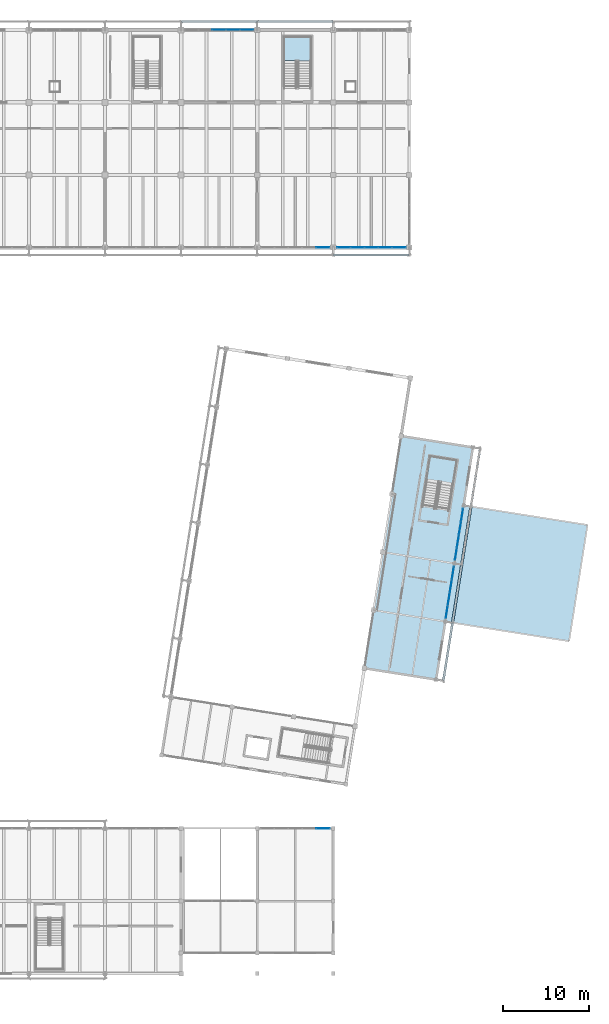
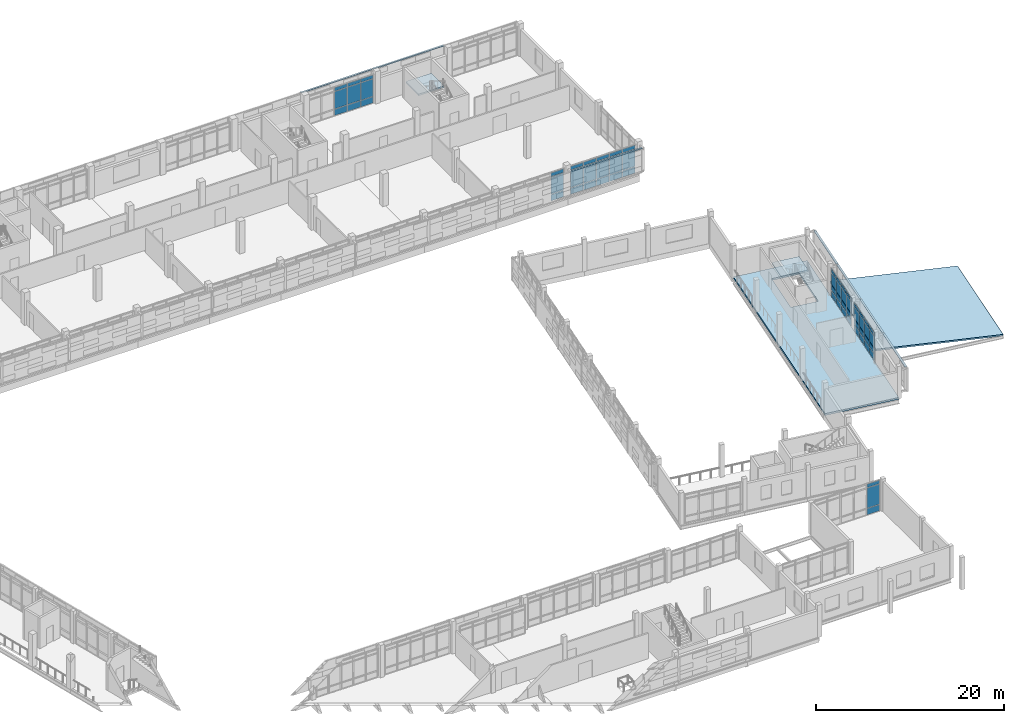
# One storey, part 103 of 137: 61 plates, 4 slabs, 8 elements without a shape of their own.
"""IFC4 building model written with IfcOpenShell, lengths in metres."""

import ifcopenshell
import ifcopenshell.guid

model = None  # the IFC model being written
_history = None  # IfcOwnerHistory: only IFC2X3 demands one
_inside = {}  # id of a spatial element -> (the spatial element, [elements in it])
_under = {}  # id of a project, library or spatial element -> (it, [spatial elements below it])
_declared = {}  # id of a project -> (the project, [libraries it declares])
_typed = {}  # id of a type object -> (the type object, [elements of that type])
_made_of = {}  # id of a material, layer set ... -> (it, [elements and type objects made of it])


def new_model(schema):
    """Start an empty IFC model of exactly this schema.

    Asked for "IFC4X3", IfcOpenShell would pick the latest addendum, in which some entities
    have other attributes; the version numbers below select the first issue.
    IFC2X3 requires an IfcOwnerHistory on every rooted entity: one is made here for all.
    """
    global model, _history
    if schema == "IFC4X3":
        model = ifcopenshell.file(schema_version=(4, 3, 0, 0))
    else:
        model = ifcopenshell.file(schema=schema)
    _inside.clear()
    _under.clear()
    _declared.clear()
    _typed.clear()
    _made_of.clear()
    _history = None
    if model.schema == "IFC2X3":
        org = make("IfcOrganization", Name="unknown")
        user = make(
            "IfcPersonAndOrganization",
            ThePerson=make("IfcPerson", FamilyName="unknown"),
            TheOrganization=org,
        )
        app = make(
            "IfcApplication",
            ApplicationDeveloper=org,
            Version="unknown",
            ApplicationFullName="unknown",
            ApplicationIdentifier="unknown",
        )
        _history = make(
            "IfcOwnerHistory",
            OwningUser=user,
            OwningApplication=app,
            ChangeAction="ADDED",
            CreationDate=0,
        )
    return model


def make(cls, **values):
    """One entity of the class cls with the attributes given. An attribute that is None is left unset."""
    return model.create_entity(
        cls, **{name: value for name, value in values.items() if value is not None}
    )


def rooted(cls, **values):
    """An entity with a GlobalId (a new one), such as an element, a storey or a relation."""
    return make(cls, GlobalId=ifcopenshell.guid.new(), OwnerHistory=_history, **values)


def si_unit(unit_type, name, prefix=None):
    """IfcSIUnit, for example si_unit("LENGTHUNIT", "METRE", prefix="MILLI")."""
    return make("IfcSIUnit", UnitType=unit_type, Prefix=prefix, Name=name)


def assignment(units):
    """IfcUnitAssignment: the units of a project."""
    return None if units is None else make("IfcUnitAssignment", Units=units)


def point(xyz):
    """IfcCartesianPoint."""
    return None if xyz is None else make("IfcCartesianPoint", Coordinates=xyz)


def direction(xyz):
    """IfcDirection."""
    return None if xyz is None else make("IfcDirection", DirectionRatios=xyz)


def frame(location, z_axis=None, x_axis=None):
    """IfcAxis2Placement3D, a coordinate frame: its origin and axes. An axis left out is left unset."""
    return make(
        "IfcAxis2Placement3D",
        Location=point(location),
        Axis=direction(z_axis),
        RefDirection=direction(x_axis),
    )


def frame_2d(location, x_axis=None):
    """IfcAxis2Placement2D, a coordinate frame in the plane: its origin and x axis."""
    return make(
        "IfcAxis2Placement2D", Location=point(location), RefDirection=direction(x_axis)
    )


def origin():
    """The frame at (0, 0, 0) with its axes left unset."""
    return frame((0.0, 0.0, 0.0))


def origin_2d():
    """The frame at (0, 0) in the plane with its x axis left unset."""
    return frame_2d((0.0, 0.0))


def place(relative_to, where):
    """IfcLocalPlacement: puts the frame where relative to a parent placement (None: the world)."""
    return make(
        "IfcLocalPlacement", PlacementRelTo=relative_to, RelativePlacement=where
    )


def context(
    kind, dimensions, precision=None, world=None, true_north=None, identifier=None
):
    """IfcGeometricRepresentationContext, for example the 3D "Model" context."""
    return make(
        "IfcGeometricRepresentationContext",
        ContextIdentifier=identifier,
        ContextType=kind,
        CoordinateSpaceDimension=dimensions,
        Precision=precision,
        WorldCoordinateSystem=world,
        TrueNorth=true_north,
    )


def subcontext(parent, identifier, kind, view, scale=None):
    """IfcGeometricRepresentationSubContext, for example "Body" below "Model"."""
    return make(
        "IfcGeometricRepresentationSubContext",
        ContextIdentifier=identifier,
        ContextType=kind,
        ParentContext=parent,
        TargetScale=scale,
        TargetView=view,
    )


def project(units=None, contexts=None):
    """IfcProject with its units and contexts."""
    return rooted(
        "IfcProject",
        Name="project",
        RepresentationContexts=contexts,
        UnitsInContext=assignment(units),
    )


def spatial(cls, under=None, at=None, **own):
    """A site, building, storey or space (cls), placed at a placement, below another one or the project."""
    s = rooted(cls, ObjectPlacement=at, **own)
    if under is not None:
        _under.setdefault(under.id(), (under, []))[1].append(s)
    return s


def polyline(points):
    """IfcPolyline through the points."""
    return make("IfcPolyline", Points=[point(p) for p in points])


def profile(cls, at=None, kind="AREA", **sizes):
    """A parametric profile (cls). Its sizes go by their IFC names, for example OverallWidth=200.0."""
    return make(cls, ProfileType=kind, Position=at, **sizes)


def rectangle(**sizes):
    """IfcRectangleProfileDef."""
    return profile("IfcRectangleProfileDef", **sizes)


def outline(outer, holes=None, kind="AREA"):
    """IfcArbitraryClosedProfileDef: a profile drawn as a closed curve; with holes, ...WithVoids."""
    if holes is None:
        return make("IfcArbitraryClosedProfileDef", ProfileType=kind, OuterCurve=outer)
    return make(
        "IfcArbitraryProfileDefWithVoids",
        ProfileType=kind,
        OuterCurve=outer,
        InnerCurves=holes,
    )


def extrude(swept, where, along, depth):
    """IfcExtrudedAreaSolid: the profile swept, set in the frame where, extruded along a direction by depth."""
    return make(
        "IfcExtrudedAreaSolid",
        SweptArea=swept,
        Position=where,
        ExtrudedDirection=direction(along),
        Depth=depth,
    )


def shape(context_of_items, identifier, shape_type, items):
    """IfcShapeRepresentation: the items that make up one representation, for example the "Body"."""
    return make(
        "IfcShapeRepresentation",
        ContextOfItems=context_of_items,
        RepresentationIdentifier=identifier,
        RepresentationType=shape_type,
        Items=items,
    )


def material(Name=None, Category=None):
    """IfcMaterial."""
    return make("IfcMaterial", Name=Name, Category=Category)


def layer(
    of_material, thickness, ventilated=None, Name=None, Category=None, Priority=None
):
    """IfcMaterialLayer: one layer of a wall or slab, of a material (None: an air gap)."""
    return make(
        "IfcMaterialLayer",
        Material=of_material,
        LayerThickness=thickness,
        IsVentilated=ventilated,
        Name=Name,
        Category=Category,
        Priority=Priority,
    )


def layer_set(layers, Name=None):
    """IfcMaterialLayerSet."""
    return make("IfcMaterialLayerSet", MaterialLayers=layers, LayerSetName=Name)


def made_of(thing, what):
    """Note that an element or type object is made of a material, layer set ...; save() writes the relation."""
    if what is not None:
        _made_of.setdefault(what.id(), (what, []))[1].append(thing)
    return thing


def type_object(cls, material=None, **own):
    """A type object (cls), such as IfcWallType, which elements share."""
    return made_of(rooted(cls, **own), material)


def element(
    cls,
    number,
    at=None,
    inside=None,
    cuts=None,
    type_object=None,
    material=None,
    context=None,
    identifier="Body",
    shape_type=None,
    held_by="IfcProductDefinitionShape",
    body=None,
    shapes=None,
    **own,
):
    """One element of the class cls, such as IfcWall. Its Tag is "e" and its number.

    at: its placement. inside: the storey or other place that contains it. cuts: it is an
    opening in that element (IfcRelVoidsElement). A single representation is given by context,
    identifier, shape_type and body (its items); several are given by shapes. held_by: the class
    of the entity that holds the representations. save() writes the other relations.
    """
    e = rooted(cls, Tag="e%d" % number, ObjectPlacement=at, **own)
    if body is not None:
        shapes = [shape(context, identifier, shape_type, body)]
    if shapes is not None:
        e.Representation = make(held_by, Representations=shapes)
    if inside is not None:
        _inside.setdefault(inside.id(), (inside, []))[1].append(e)
    if cuts is not None:
        rooted(
            "IfcRelVoidsElement", RelatingBuildingElement=cuts, RelatedOpeningElement=e
        )
    if type_object is not None:
        _typed.setdefault(type_object.id(), (type_object, []))[1].append(e)
    return made_of(e, material)


def aggregate(whole, parts):
    """IfcRelAggregates: a whole, such as a stair, and the parts it consists of."""
    return rooted("IfcRelAggregates", RelatingObject=whole, RelatedObjects=parts)


def save(model, path):
    """Write the relations noted so far, then the file.

    IfcRelAggregates (storeys below a building ...), IfcRelContainedInSpatialStructure (elements
    in a storey), IfcRelDefinesByType, IfcRelAssociatesMaterial and IfcRelDeclares: one each for
    every whole, place, type object, material and project.
    """
    for whole, parts in _under.values():
        aggregate(whole, parts)
    for where, things in _inside.values():
        rooted(
            "IfcRelContainedInSpatialStructure",
            RelatedElements=things,
            RelatingStructure=where,
        )
    for kind, things in _typed.values():
        rooted("IfcRelDefinesByType", RelatedObjects=things, RelatingType=kind)
    for what, things in _made_of.values():
        rooted("IfcRelAssociatesMaterial", RelatedObjects=things, RelatingMaterial=what)
    for by, libraries in _declared.values():
        rooted("IfcRelDeclares", RelatingContext=by, RelatedDefinitions=libraries)
    model.write(path)


model = new_model("IFC4")

# Units and contexts
model_context = context("Model", 3, precision=1e-05, world=origin(), true_north=direction((0.0, 1.0)))
body_context = subcontext(model_context, "Body", "Model", "MODEL_VIEW")
ifc_project = project(units=[si_unit("LENGTHUNIT", "METRE"), si_unit("AREAUNIT", "SQUARE_METRE"), si_unit("VOLUMEUNIT", "CUBIC_METRE"), si_unit("PLANEANGLEUNIT", "RADIAN"), si_unit("MASSUNIT", "GRAM", prefix="KILO")], contexts=[model_context])

# Site, building, storey
site_placement = place(None, origin())
site = spatial("IfcSite", under=ifc_project, at=site_placement, CompositionType="ELEMENT")
building_placement = place(site_placement, origin())
building = spatial("IfcBuilding", under=site, at=building_placement, Name="Cinderway Yard Community Centre", CompositionType="ELEMENT")
storey_placement = place(building_placement, frame((0.0, 0.0, 4.800048828125)))
storey = spatial("IfcBuildingStorey", under=building, at=storey_placement, Name="L01", CompositionType="ELEMENT", Elevation=4.800048828125)

# Curtain wall, plates
ifc_material_1 = material(Name="Aluminium 6063-T6", Category="aluminium")
curtain_wall_type_1 = type_object("IfcCurtainWallType", Name="ENV-CW-TYPE-16", PredefinedType="USERDEFINED", material=ifc_material_1)
curtain_wall_1_placement = place(storey_placement, origin())
curtain_wall_1 = element("IfcCurtainWall", 1, at=curtain_wall_1_placement, inside=storey, type_object=curtain_wall_type_1, Name="Fitness East Curtain Wall ENV-CW-L01-ST-0058", ObjectType="GLAZED CURTAIN WALL", PredefinedType="USERDEFINED")
ifc_material_2 = material(Name="Laminated Low-E Glass", Category="glass")
ifc_layer_1 = layer(ifc_material_2, 0.028076171875, Name="Laminated Low-E Glass")
ifc_layer_set_1 = layer_set([ifc_layer_1], Name="Laminated Low-E Glass")
plate_type_1 = type_object("IfcPlateType", Name="ENV-CW-PAN-IGU28", PredefinedType="CURTAIN_PANEL", material=ifc_layer_set_1)
plate_1_placement = place(storey_placement, frame((149.9345703125, 47.853759765625, 0.059814453125), z_axis=(0.0, 0.0, 1.0), x_axis=(0.156417211778, 0.987691073089, 0.0)))
plate_1 = element("IfcPlate", 2, at=plate_1_placement, type_object=plate_type_1, Name="CW-16 panel 1.1", PredefinedType="CURTAIN_PANEL", context=body_context, shape_type="SweptSolid", body=[
    extrude(rectangle(XDim=1.434814453125, YDim=0.028076171875, at=origin_2d()), origin(), (0.0, 0.0, 1.0), 0.81005859375),
])
plate_2_placement = place(storey_placement, frame((149.9345703125, 47.853759765625, 0.93017578125), z_axis=(0.0, 0.0, 1.0), x_axis=(0.156417211778, 0.987691073089, 0.0)))
plate_2 = element("IfcPlate", 3, at=plate_2_placement, type_object=plate_type_1, Name="CW-16 panel 1.2", PredefinedType="CURTAIN_PANEL", context=body_context, shape_type="SweptSolid", body=[
    extrude(rectangle(XDim=1.434814453125, YDim=0.028076171875, at=origin_2d()), origin(), (0.0, 0.0, 1.0), 2.239990234375),
])
plate_3_placement = place(storey_placement, frame((149.9345703125, 47.853759765625, 3.22998046875), z_axis=(0.0, 0.0, 1.0), x_axis=(0.156417211778, 0.987691073089, 0.0)))
plate_3 = element("IfcPlate", 4, at=plate_3_placement, type_object=plate_type_1, Name="CW-16 panel 1.3", PredefinedType="CURTAIN_PANEL", context=body_context, shape_type="SweptSolid", body=[
    extrude(rectangle(XDim=1.434814453125, YDim=0.028076171875, at=origin_2d()), origin(), (0.0, 0.0, 1.0), 0.4599609375),
])
plate_4_placement = place(storey_placement, frame((150.170654296875, 49.344970703125, 0.059814453125), z_axis=(0.0, 0.0, 1.0), x_axis=(0.156417211778, 0.987691073089, 0.0)))
plate_4 = element("IfcPlate", 5, at=plate_4_placement, type_object=plate_type_1, Name="CW-16 panel 2.1", PredefinedType="CURTAIN_PANEL", context=body_context, shape_type="SweptSolid", body=[
    extrude(rectangle(XDim=1.46484375, YDim=0.028076171875, at=origin_2d()), origin(), (0.0, 0.0, 1.0), 0.81005859375),
])
plate_5_placement = place(storey_placement, frame((150.170654296875, 49.344970703125, 0.93017578125), z_axis=(0.0, 0.0, 1.0), x_axis=(0.156417211778, 0.987691073089, 0.0)))
plate_5 = element("IfcPlate", 6, at=plate_5_placement, type_object=plate_type_1, Name="CW-16 panel 2.2", PredefinedType="CURTAIN_PANEL", context=body_context, shape_type="SweptSolid", body=[
    extrude(rectangle(XDim=1.46484375, YDim=0.028076171875, at=origin_2d()), origin(), (0.0, 0.0, 1.0), 2.239990234375),
])
plate_6_placement = place(storey_placement, frame((150.170654296875, 49.344970703125, 3.22998046875), z_axis=(0.0, 0.0, 1.0), x_axis=(0.156417211778, 0.987691073089, 0.0)))
plate_6 = element("IfcPlate", 7, at=plate_6_placement, type_object=plate_type_1, Name="CW-16 panel 2.3", PredefinedType="CURTAIN_PANEL", context=body_context, shape_type="SweptSolid", body=[
    extrude(rectangle(XDim=1.46484375, YDim=0.028076171875, at=origin_2d()), origin(), (0.0, 0.0, 1.0), 0.4599609375),
])
plate_7_placement = place(storey_placement, frame((150.4091796875, 50.85107421875, 0.059814453125), z_axis=(0.0, 0.0, 1.0), x_axis=(0.156417211778, 0.987691073089, 0.0)))
plate_7 = element("IfcPlate", 8, at=plate_7_placement, type_object=plate_type_1, Name="CW-16 panel 3.1", PredefinedType="CURTAIN_PANEL", context=body_context, shape_type="SweptSolid", body=[
    extrude(rectangle(XDim=1.46484375, YDim=0.028076171875, at=origin_2d()), origin(), (0.0, 0.0, 1.0), 0.81005859375),
])
plate_8_placement = place(storey_placement, frame((150.4091796875, 50.85107421875, 0.93017578125), z_axis=(0.0, 0.0, 1.0), x_axis=(0.156417211778, 0.987691073089, 0.0)))
plate_8 = element("IfcPlate", 9, at=plate_8_placement, type_object=plate_type_1, Name="CW-16 panel 3.2", PredefinedType="CURTAIN_PANEL", context=body_context, shape_type="SweptSolid", body=[
    extrude(rectangle(XDim=1.46484375, YDim=0.028076171875, at=origin_2d()), origin(), (0.0, 0.0, 1.0), 2.239990234375),
])
plate_9_placement = place(storey_placement, frame((150.4091796875, 50.85107421875, 3.22998046875), z_axis=(0.0, 0.0, 1.0), x_axis=(0.156417211778, 0.987691073089, 0.0)))
plate_9 = element("IfcPlate", 10, at=plate_9_placement, type_object=plate_type_1, Name="CW-16 panel 3.3", PredefinedType="CURTAIN_PANEL", context=body_context, shape_type="SweptSolid", body=[
    extrude(rectangle(XDim=1.46484375, YDim=0.028076171875, at=origin_2d()), origin(), (0.0, 0.0, 1.0), 0.4599609375),
])
plate_10_placement = place(storey_placement, frame((150.6455078125, 52.34228515625, 0.059814453125), z_axis=(0.0, 0.0, 1.0), x_axis=(0.156417211778, 0.987691073089, 0.0)))
plate_10 = element("IfcPlate", 11, at=plate_10_placement, type_object=plate_type_1, Name="CW-16 panel 4.1", PredefinedType="CURTAIN_PANEL", context=body_context, shape_type="SweptSolid", body=[
    extrude(rectangle(XDim=1.434814453125, YDim=0.028076171875, at=origin_2d()), origin(), (0.0, 0.0, 1.0), 0.81005859375),
])
plate_11_placement = place(storey_placement, frame((150.6455078125, 52.34228515625, 0.93017578125), z_axis=(0.0, 0.0, 1.0), x_axis=(0.156417211778, 0.987691073089, 0.0)))
plate_11 = element("IfcPlate", 12, at=plate_11_placement, type_object=plate_type_1, Name="CW-16 panel 4.2", PredefinedType="CURTAIN_PANEL", context=body_context, shape_type="SweptSolid", body=[
    extrude(rectangle(XDim=1.434814453125, YDim=0.028076171875, at=origin_2d()), origin(), (0.0, 0.0, 1.0), 2.239990234375),
])
plate_12_placement = place(storey_placement, frame((150.6455078125, 52.34228515625, 3.22998046875), z_axis=(0.0, 0.0, 1.0), x_axis=(0.156417211778, 0.987691073089, 0.0)))
plate_12 = element("IfcPlate", 13, at=plate_12_placement, type_object=plate_type_1, Name="CW-16 panel 4.3", PredefinedType="CURTAIN_PANEL", context=body_context, shape_type="SweptSolid", body=[
    extrude(rectangle(XDim=1.434814453125, YDim=0.028076171875, at=origin_2d()), origin(), (0.0, 0.0, 1.0), 0.4599609375),
])
aggregate(curtain_wall_1, [plate_1, plate_2, plate_3, plate_4, plate_5, plate_6, plate_7, plate_8, plate_9, plate_10, plate_11, plate_12])

curtain_wall_2_placement = place(storey_placement, origin())
curtain_wall_2 = element("IfcCurtainWall", 14, at=curtain_wall_2_placement, inside=storey, type_object=curtain_wall_type_1, Name="Fitness East Curtain Wall ENV-CW-L01-ST-0059", ObjectType="GLAZED CURTAIN WALL", PredefinedType="USERDEFINED")
plate_13_placement = place(storey_placement, frame((150.99853515625, 54.56982421875, 0.059814453125), z_axis=(0.0, 0.0, 1.0), x_axis=(0.156417211778, 0.987691073089, 0.0)))
plate_13 = element("IfcPlate", 15, at=plate_13_placement, type_object=plate_type_1, Name="CW-16 panel 1.1", PredefinedType="CURTAIN_PANEL", context=body_context, shape_type="SweptSolid", body=[
    extrude(rectangle(XDim=1.434814453125, YDim=0.028076171875, at=origin_2d()), origin(), (0.0, 0.0, 1.0), 0.81005859375),
])
plate_14_placement = place(storey_placement, frame((150.99853515625, 54.56982421875, 0.93017578125), z_axis=(0.0, 0.0, 1.0), x_axis=(0.156417211778, 0.987691073089, 0.0)))
plate_14 = element("IfcPlate", 16, at=plate_14_placement, type_object=plate_type_1, Name="CW-16 panel 1.2", PredefinedType="CURTAIN_PANEL", context=body_context, shape_type="SweptSolid", body=[
    extrude(rectangle(XDim=1.434814453125, YDim=0.028076171875, at=origin_2d()), origin(), (0.0, 0.0, 1.0), 2.239990234375),
])
plate_15_placement = place(storey_placement, frame((150.99853515625, 54.56982421875, 3.22998046875), z_axis=(0.0, 0.0, 1.0), x_axis=(0.156417211778, 0.987691073089, 0.0)))
plate_15 = element("IfcPlate", 17, at=plate_15_placement, type_object=plate_type_1, Name="CW-16 panel 1.3", PredefinedType="CURTAIN_PANEL", context=body_context, shape_type="SweptSolid", body=[
    extrude(rectangle(XDim=1.434814453125, YDim=0.028076171875, at=origin_2d()), origin(), (0.0, 0.0, 1.0), 0.4599609375),
])
plate_16_placement = place(storey_placement, frame((151.23486328125, 56.06103515625, 0.059814453125), z_axis=(0.0, 0.0, 1.0), x_axis=(0.156417211778, 0.987691073089, 0.0)))
plate_16 = element("IfcPlate", 18, at=plate_16_placement, type_object=plate_type_1, Name="CW-16 panel 2.1", PredefinedType="CURTAIN_PANEL", context=body_context, shape_type="SweptSolid", body=[
    extrude(rectangle(XDim=1.46484375, YDim=0.028076171875, at=origin_2d()), origin(), (0.0, 0.0, 1.0), 0.81005859375),
])
plate_17_placement = place(storey_placement, frame((151.23486328125, 56.06103515625, 0.93017578125), z_axis=(0.0, 0.0, 1.0), x_axis=(0.156417211778, 0.987691073089, 0.0)))
plate_17 = element("IfcPlate", 19, at=plate_17_placement, type_object=plate_type_1, Name="CW-16 panel 2.2", PredefinedType="CURTAIN_PANEL", context=body_context, shape_type="SweptSolid", body=[
    extrude(rectangle(XDim=1.46484375, YDim=0.028076171875, at=origin_2d()), origin(), (0.0, 0.0, 1.0), 2.239990234375),
])
plate_18_placement = place(storey_placement, frame((151.23486328125, 56.06103515625, 3.22998046875), z_axis=(0.0, 0.0, 1.0), x_axis=(0.156417211778, 0.987691073089, 0.0)))
plate_18 = element("IfcPlate", 20, at=plate_18_placement, type_object=plate_type_1, Name="CW-16 panel 2.3", PredefinedType="CURTAIN_PANEL", context=body_context, shape_type="SweptSolid", body=[
    extrude(rectangle(XDim=1.46484375, YDim=0.028076171875, at=origin_2d()), origin(), (0.0, 0.0, 1.0), 0.4599609375),
])
plate_19_placement = place(storey_placement, frame((151.47314453125, 57.56689453125, 0.059814453125), z_axis=(0.0, 0.0, 1.0), x_axis=(0.156417211778, 0.987691073089, 0.0)))
plate_19 = element("IfcPlate", 21, at=plate_19_placement, type_object=plate_type_1, Name="CW-16 panel 3.1", PredefinedType="CURTAIN_PANEL", context=body_context, shape_type="SweptSolid", body=[
    extrude(rectangle(XDim=1.46484375, YDim=0.028076171875, at=origin_2d()), origin(), (0.0, 0.0, 1.0), 0.81005859375),
])
plate_20_placement = place(storey_placement, frame((151.47314453125, 57.56689453125, 0.93017578125), z_axis=(0.0, 0.0, 1.0), x_axis=(0.156417211778, 0.987691073089, 0.0)))
plate_20 = element("IfcPlate", 22, at=plate_20_placement, type_object=plate_type_1, Name="CW-16 panel 3.2", PredefinedType="CURTAIN_PANEL", context=body_context, shape_type="SweptSolid", body=[
    extrude(rectangle(XDim=1.46484375, YDim=0.028076171875, at=origin_2d()), origin(), (0.0, 0.0, 1.0), 2.239990234375),
])
plate_21_placement = place(storey_placement, frame((151.47314453125, 57.56689453125, 3.22998046875), z_axis=(0.0, 0.0, 1.0), x_axis=(0.156417211778, 0.987691073089, 0.0)))
plate_21 = element("IfcPlate", 23, at=plate_21_placement, type_object=plate_type_1, Name="CW-16 panel 3.3", PredefinedType="CURTAIN_PANEL", context=body_context, shape_type="SweptSolid", body=[
    extrude(rectangle(XDim=1.46484375, YDim=0.028076171875, at=origin_2d()), origin(), (0.0, 0.0, 1.0), 0.4599609375),
])
plate_22_placement = place(storey_placement, frame((151.70947265625, 59.05810546875, 0.059814453125), z_axis=(0.0, 0.0, 1.0), x_axis=(0.156417211778, 0.987691073089, 0.0)))
plate_22 = element("IfcPlate", 24, at=plate_22_placement, type_object=plate_type_1, Name="CW-16 panel 4.1", PredefinedType="CURTAIN_PANEL", context=body_context, shape_type="SweptSolid", body=[
    extrude(rectangle(XDim=1.434814453125, YDim=0.028076171875, at=origin_2d()), origin(), (0.0, 0.0, 1.0), 0.81005859375),
])
plate_23_placement = place(storey_placement, frame((151.70947265625, 59.05810546875, 0.93017578125), z_axis=(0.0, 0.0, 1.0), x_axis=(0.156417211778, 0.987691073089, 0.0)))
plate_23 = element("IfcPlate", 25, at=plate_23_placement, type_object=plate_type_1, Name="CW-16 panel 4.2", PredefinedType="CURTAIN_PANEL", context=body_context, shape_type="SweptSolid", body=[
    extrude(rectangle(XDim=1.434814453125, YDim=0.028076171875, at=origin_2d()), origin(), (0.0, 0.0, 1.0), 2.239990234375),
])
plate_24_placement = place(storey_placement, frame((151.70947265625, 59.05810546875, 3.22998046875), z_axis=(0.0, 0.0, 1.0), x_axis=(0.156417211778, 0.987691073089, 0.0)))
plate_24 = element("IfcPlate", 26, at=plate_24_placement, type_object=plate_type_1, Name="CW-16 panel 4.3", PredefinedType="CURTAIN_PANEL", context=body_context, shape_type="SweptSolid", body=[
    extrude(rectangle(XDim=1.434814453125, YDim=0.028076171875, at=origin_2d()), origin(), (0.0, 0.0, 1.0), 0.4599609375),
])
aggregate(curtain_wall_2, [plate_13, plate_14, plate_15, plate_16, plate_17, plate_18, plate_19, plate_20, plate_21, plate_22, plate_23, plate_24])

curtain_wall_type_2 = type_object("IfcCurtainWallType", Name="ENV-CW-TYPE-27", PredefinedType="USERDEFINED", material=ifc_material_1)
curtain_wall_3_placement = place(storey_placement, origin())
curtain_wall_3 = element("IfcCurtainWall", 27, at=curtain_wall_3_placement, inside=storey, type_object=curtain_wall_type_2, Name="V4 Street Curtain Wall ENV-CW-L01-ST-0135", ObjectType="GLAZED CURTAIN WALL", PredefinedType="USERDEFINED")
plate_25_placement = place(storey_placement, frame((123.60009765625, 115.199951171875, 0.059814453125), z_axis=(0.0, 0.0, 1.0), x_axis=(1.0, 0.0, 0.0)))
plate_25 = element("IfcPlate", 28, at=plate_25_placement, type_object=plate_type_1, Name="CW-27 panel 3.1", PredefinedType="CURTAIN_PANEL", context=body_context, shape_type="SweptSolid", body=[
    extrude(rectangle(XDim=1.548095703125, YDim=0.028076171875, at=origin_2d()), origin(), (0.0, 0.0, 1.0), 0.81005859375),
])
plate_26_placement = place(storey_placement, frame((123.60009765625, 115.199951171875, 0.93017578125), z_axis=(0.0, 0.0, 1.0), x_axis=(1.0, 0.0, 0.0)))
plate_26 = element("IfcPlate", 29, at=plate_26_placement, type_object=plate_type_1, Name="CW-27 panel 3.2", PredefinedType="CURTAIN_PANEL", context=body_context, shape_type="SweptSolid", body=[
    extrude(rectangle(XDim=1.548095703125, YDim=0.028076171875, at=origin_2d()), origin(), (0.0, 0.0, 1.0), 2.239990234375),
])
plate_27_placement = place(storey_placement, frame((123.60009765625, 115.199951171875, 3.22998046875), z_axis=(0.0, 0.0, 1.0), x_axis=(1.0, 0.0, 0.0)))
plate_27 = element("IfcPlate", 30, at=plate_27_placement, type_object=plate_type_1, Name="CW-27 panel 3.3", PredefinedType="CURTAIN_PANEL", context=body_context, shape_type="SweptSolid", body=[
    extrude(rectangle(XDim=1.548095703125, YDim=0.028076171875, at=origin_2d()), origin(), (0.0, 0.0, 1.0), 0.4599609375),
])
plate_28_placement = place(storey_placement, frame((125.2080078125, 115.199951171875, 0.059814453125), z_axis=(0.0, 0.0, 1.0), x_axis=(1.0, 0.0, 0.0)))
plate_28 = element("IfcPlate", 31, at=plate_28_placement, type_object=plate_type_1, Name="CW-27 panel 4.1", PredefinedType="CURTAIN_PANEL", context=body_context, shape_type="SweptSolid", body=[
    extrude(rectangle(XDim=1.548095703125, YDim=0.028076171875, at=origin_2d()), origin(), (0.0, 0.0, 1.0), 0.81005859375),
])
plate_29_placement = place(storey_placement, frame((125.2080078125, 115.199951171875, 0.93017578125), z_axis=(0.0, 0.0, 1.0), x_axis=(1.0, 0.0, 0.0)))
plate_29 = element("IfcPlate", 32, at=plate_29_placement, type_object=plate_type_1, Name="CW-27 panel 4.2", PredefinedType="CURTAIN_PANEL", context=body_context, shape_type="SweptSolid", body=[
    extrude(rectangle(XDim=1.548095703125, YDim=0.028076171875, at=origin_2d()), origin(), (0.0, 0.0, 1.0), 2.239990234375),
])
plate_30_placement = place(storey_placement, frame((125.2080078125, 115.199951171875, 3.22998046875), z_axis=(0.0, 0.0, 1.0), x_axis=(1.0, 0.0, 0.0)))
plate_30 = element("IfcPlate", 33, at=plate_30_placement, type_object=plate_type_1, Name="CW-27 panel 4.3", PredefinedType="CURTAIN_PANEL", context=body_context, shape_type="SweptSolid", body=[
    extrude(rectangle(XDim=1.548095703125, YDim=0.028076171875, at=origin_2d()), origin(), (0.0, 0.0, 1.0), 0.4599609375),
])
plate_31_placement = place(storey_placement, frame((126.801025390625, 115.199951171875, 0.059814453125), z_axis=(0.0, 0.0, 1.0), x_axis=(1.0, 0.0, 0.0)))
plate_31 = element("IfcPlate", 34, at=plate_31_placement, type_object=plate_type_1, Name="CW-27 panel 5.1", PredefinedType="CURTAIN_PANEL", context=body_context, shape_type="SweptSolid", body=[
    extrude(rectangle(XDim=1.51806640625, YDim=0.028076171875, at=origin_2d()), origin(), (0.0, 0.0, 1.0), 0.81005859375),
])
plate_32_placement = place(storey_placement, frame((126.801025390625, 115.199951171875, 0.93017578125), z_axis=(0.0, 0.0, 1.0), x_axis=(1.0, 0.0, 0.0)))
plate_32 = element("IfcPlate", 35, at=plate_32_placement, type_object=plate_type_1, Name="CW-27 panel 5.2", PredefinedType="CURTAIN_PANEL", context=body_context, shape_type="SweptSolid", body=[
    extrude(rectangle(XDim=1.51806640625, YDim=0.028076171875, at=origin_2d()), origin(), (0.0, 0.0, 1.0), 2.239990234375),
])
plate_33_placement = place(storey_placement, frame((126.801025390625, 115.199951171875, 3.22998046875), z_axis=(0.0, 0.0, 1.0), x_axis=(1.0, 0.0, 0.0)))
plate_33 = element("IfcPlate", 36, at=plate_33_placement, type_object=plate_type_1, Name="CW-27 panel 5.3", PredefinedType="CURTAIN_PANEL", context=body_context, shape_type="SweptSolid", body=[
    extrude(rectangle(XDim=1.51806640625, YDim=0.028076171875, at=origin_2d()), origin(), (0.0, 0.0, 1.0), 0.4599609375),
])
aggregate(curtain_wall_3, [plate_25, plate_26, plate_27, plate_28, plate_29, plate_30, plate_31, plate_32, plate_33])

curtain_wall_4_placement = place(storey_placement, origin())
curtain_wall_4 = element("IfcCurtainWall", 37, at=curtain_wall_4_placement, inside=storey, type_object=curtain_wall_type_2, Name="V4 Courtyard Curtain Wall ENV-CW-L01-ST-0137", ObjectType="GLAZED CURTAIN WALL", PredefinedType="USERDEFINED")
plate_34_placement = place(storey_placement, frame((135.60107421875, 90.0, 0.059814453125), z_axis=(0.0, 0.0, 1.0), x_axis=(1.0, 0.0, 0.0)))
plate_34 = element("IfcPlate", 38, at=plate_34_placement, type_object=plate_type_1, Name="CW-27 panel 5.1", PredefinedType="CURTAIN_PANEL", context=body_context, shape_type="SweptSolid", body=[
    extrude(rectangle(XDim=1.51806640625, YDim=0.028076171875, at=origin_2d()), origin(), (0.0, 0.0, 1.0), 0.81005859375),
])
plate_35_placement = place(storey_placement, frame((135.60107421875, 90.0, 0.93017578125), z_axis=(0.0, 0.0, 1.0), x_axis=(1.0, 0.0, 0.0)))
plate_35 = element("IfcPlate", 39, at=plate_35_placement, type_object=plate_type_1, Name="CW-27 panel 5.2", PredefinedType="CURTAIN_PANEL", context=body_context, shape_type="SweptSolid", body=[
    extrude(rectangle(XDim=1.51806640625, YDim=0.028076171875, at=origin_2d()), origin(), (0.0, 0.0, 1.0), 2.239990234375),
])
plate_36_placement = place(storey_placement, frame((135.60107421875, 90.0, 3.22998046875), z_axis=(0.0, 0.0, 1.0), x_axis=(1.0, 0.0, 0.0)))
plate_36 = element("IfcPlate", 40, at=plate_36_placement, type_object=plate_type_1, Name="CW-27 panel 5.3", PredefinedType="CURTAIN_PANEL", context=body_context, shape_type="SweptSolid", body=[
    extrude(rectangle(XDim=1.51806640625, YDim=0.028076171875, at=origin_2d()), origin(), (0.0, 0.0, 1.0), 0.4599609375),
])
aggregate(curtain_wall_4, [plate_34, plate_35, plate_36])

curtain_wall_5_placement = place(storey_placement, origin())
curtain_wall_5 = element("IfcCurtainWall", 41, at=curtain_wall_5_placement, inside=storey, type_object=curtain_wall_type_2, Name="V4 Courtyard Curtain Wall ENV-CW-L01-ST-0139", ObjectType="GLAZED CURTAIN WALL", PredefinedType="USERDEFINED")
plate_37_placement = place(storey_placement, frame((137.9990234375, 90.0, 0.059814453125), z_axis=(0.0, 0.0, 1.0), x_axis=(1.0, 0.0, 0.0)))
plate_37 = element("IfcPlate", 42, at=plate_37_placement, type_object=plate_type_1, Name="CW-27 panel 1.1", PredefinedType="CURTAIN_PANEL", context=body_context, shape_type="SweptSolid", body=[
    extrude(rectangle(XDim=1.51806640625, YDim=0.028076171875, at=origin_2d()), origin(), (0.0, 0.0, 1.0), 0.81005859375),
])
plate_38_placement = place(storey_placement, frame((137.9990234375, 90.0, 0.93017578125), z_axis=(0.0, 0.0, 1.0), x_axis=(1.0, 0.0, 0.0)))
plate_38 = element("IfcPlate", 43, at=plate_38_placement, type_object=plate_type_1, Name="CW-27 panel 1.2", PredefinedType="CURTAIN_PANEL", context=body_context, shape_type="SweptSolid", body=[
    extrude(rectangle(XDim=1.51806640625, YDim=0.028076171875, at=origin_2d()), origin(), (0.0, 0.0, 1.0), 2.239990234375),
])
plate_39_placement = place(storey_placement, frame((137.9990234375, 90.0, 3.22998046875), z_axis=(0.0, 0.0, 1.0), x_axis=(1.0, 0.0, 0.0)))
plate_39 = element("IfcPlate", 44, at=plate_39_placement, type_object=plate_type_1, Name="CW-27 panel 1.3", PredefinedType="CURTAIN_PANEL", context=body_context, shape_type="SweptSolid", body=[
    extrude(rectangle(XDim=1.51806640625, YDim=0.028076171875, at=origin_2d()), origin(), (0.0, 0.0, 1.0), 0.4599609375),
])
plate_40_placement = place(storey_placement, frame((139.592041015625, 90.0, 0.059814453125), z_axis=(0.0, 0.0, 1.0), x_axis=(1.0, 0.0, 0.0)))
plate_40 = element("IfcPlate", 45, at=plate_40_placement, type_object=plate_type_1, Name="CW-27 panel 2.1", PredefinedType="CURTAIN_PANEL", context=body_context, shape_type="SweptSolid", body=[
    extrude(rectangle(XDim=1.548095703125, YDim=0.028076171875, at=origin_2d()), origin(), (0.0, 0.0, 1.0), 0.81005859375),
])
plate_41_placement = place(storey_placement, frame((139.592041015625, 90.0, 0.93017578125), z_axis=(0.0, 0.0, 1.0), x_axis=(1.0, 0.0, 0.0)))
plate_41 = element("IfcPlate", 46, at=plate_41_placement, type_object=plate_type_1, Name="CW-27 panel 2.2", PredefinedType="CURTAIN_PANEL", context=body_context, shape_type="SweptSolid", body=[
    extrude(rectangle(XDim=1.548095703125, YDim=0.028076171875, at=origin_2d()), origin(), (0.0, 0.0, 1.0), 2.239990234375),
])
plate_42_placement = place(storey_placement, frame((139.592041015625, 90.0, 3.22998046875), z_axis=(0.0, 0.0, 1.0), x_axis=(1.0, 0.0, 0.0)))
plate_42 = element("IfcPlate", 47, at=plate_42_placement, type_object=plate_type_1, Name="CW-27 panel 2.3", PredefinedType="CURTAIN_PANEL", context=body_context, shape_type="SweptSolid", body=[
    extrude(rectangle(XDim=1.548095703125, YDim=0.028076171875, at=origin_2d()), origin(), (0.0, 0.0, 1.0), 0.4599609375),
])
plate_43_placement = place(storey_placement, frame((141.199951171875, 90.0, 0.059814453125), z_axis=(0.0, 0.0, 1.0), x_axis=(1.0, 0.0, 0.0)))
plate_43 = element("IfcPlate", 48, at=plate_43_placement, type_object=plate_type_1, Name="CW-27 panel 3.1", PredefinedType="CURTAIN_PANEL", context=body_context, shape_type="SweptSolid", body=[
    extrude(rectangle(XDim=1.548095703125, YDim=0.028076171875, at=origin_2d()), origin(), (0.0, 0.0, 1.0), 0.81005859375),
])
plate_44_placement = place(storey_placement, frame((141.199951171875, 90.0, 0.93017578125), z_axis=(0.0, 0.0, 1.0), x_axis=(1.0, 0.0, 0.0)))
plate_44 = element("IfcPlate", 49, at=plate_44_placement, type_object=plate_type_1, Name="CW-27 panel 3.2", PredefinedType="CURTAIN_PANEL", context=body_context, shape_type="SweptSolid", body=[
    extrude(rectangle(XDim=1.548095703125, YDim=0.028076171875, at=origin_2d()), origin(), (0.0, 0.0, 1.0), 2.239990234375),
])
plate_45_placement = place(storey_placement, frame((141.199951171875, 90.0, 3.22998046875), z_axis=(0.0, 0.0, 1.0), x_axis=(1.0, 0.0, 0.0)))
plate_45 = element("IfcPlate", 50, at=plate_45_placement, type_object=plate_type_1, Name="CW-27 panel 3.3", PredefinedType="CURTAIN_PANEL", context=body_context, shape_type="SweptSolid", body=[
    extrude(rectangle(XDim=1.548095703125, YDim=0.028076171875, at=origin_2d()), origin(), (0.0, 0.0, 1.0), 0.4599609375),
])
plate_46_placement = place(storey_placement, frame((142.80810546875, 90.0, 0.059814453125), z_axis=(0.0, 0.0, 1.0), x_axis=(1.0, 0.0, 0.0)))
plate_46 = element("IfcPlate", 51, at=plate_46_placement, type_object=plate_type_1, Name="CW-27 panel 4.1", PredefinedType="CURTAIN_PANEL", context=body_context, shape_type="SweptSolid", body=[
    extrude(rectangle(XDim=1.548095703125, YDim=0.028076171875, at=origin_2d()), origin(), (0.0, 0.0, 1.0), 0.81005859375),
])
plate_47_placement = place(storey_placement, frame((142.80810546875, 90.0, 0.93017578125), z_axis=(0.0, 0.0, 1.0), x_axis=(1.0, 0.0, 0.0)))
plate_47 = element("IfcPlate", 52, at=plate_47_placement, type_object=plate_type_1, Name="CW-27 panel 4.2", PredefinedType="CURTAIN_PANEL", context=body_context, shape_type="SweptSolid", body=[
    extrude(rectangle(XDim=1.548095703125, YDim=0.028076171875, at=origin_2d()), origin(), (0.0, 0.0, 1.0), 2.239990234375),
])
plate_48_placement = place(storey_placement, frame((142.80810546875, 90.0, 3.22998046875), z_axis=(0.0, 0.0, 1.0), x_axis=(1.0, 0.0, 0.0)))
plate_48 = element("IfcPlate", 53, at=plate_48_placement, type_object=plate_type_1, Name="CW-27 panel 4.3", PredefinedType="CURTAIN_PANEL", context=body_context, shape_type="SweptSolid", body=[
    extrude(rectangle(XDim=1.548095703125, YDim=0.028076171875, at=origin_2d()), origin(), (0.0, 0.0, 1.0), 0.4599609375),
])
plate_49_placement = place(storey_placement, frame((144.40087890625, 90.0, 0.059814453125), z_axis=(0.0, 0.0, 1.0), x_axis=(1.0, 0.0, 0.0)))
plate_49 = element("IfcPlate", 54, at=plate_49_placement, type_object=plate_type_1, Name="CW-27 panel 5.1", PredefinedType="CURTAIN_PANEL", context=body_context, shape_type="SweptSolid", body=[
    extrude(rectangle(XDim=1.51806640625, YDim=0.028076171875, at=origin_2d()), origin(), (0.0, 0.0, 1.0), 0.81005859375),
])
plate_50_placement = place(storey_placement, frame((144.40087890625, 90.0, 0.93017578125), z_axis=(0.0, 0.0, 1.0), x_axis=(1.0, 0.0, 0.0)))
plate_50 = element("IfcPlate", 55, at=plate_50_placement, type_object=plate_type_1, Name="CW-27 panel 5.2", PredefinedType="CURTAIN_PANEL", context=body_context, shape_type="SweptSolid", body=[
    extrude(rectangle(XDim=1.51806640625, YDim=0.028076171875, at=origin_2d()), origin(), (0.0, 0.0, 1.0), 2.239990234375),
])
plate_51_placement = place(storey_placement, frame((144.40087890625, 90.0, 3.22998046875), z_axis=(0.0, 0.0, 1.0), x_axis=(1.0, 0.0, 0.0)))
plate_51 = element("IfcPlate", 56, at=plate_51_placement, type_object=plate_type_1, Name="CW-27 panel 5.3", PredefinedType="CURTAIN_PANEL", context=body_context, shape_type="SweptSolid", body=[
    extrude(rectangle(XDim=1.51806640625, YDim=0.028076171875, at=origin_2d()), origin(), (0.0, 0.0, 1.0), 0.4599609375),
])
aggregate(curtain_wall_5, [plate_37, plate_38, plate_39, plate_40, plate_41, plate_42, plate_43, plate_44, plate_45, plate_46, plate_47, plate_48, plate_49, plate_50, plate_51])

curtain_wall_type_3 = type_object("IfcCurtainWallType", Name="ENV-CW-TYPE-37", PredefinedType="USERDEFINED", material=ifc_material_1)
curtain_wall_6_placement = place(storey_placement, origin())
curtain_wall_6 = element("IfcCurtainWall", 57, at=curtain_wall_6_placement, inside=storey, type_object=curtain_wall_type_3, Name="East Arcade Kiosk Curtain Wall ENV-CW-L01-ST-0202", ObjectType="GLAZED CURTAIN WALL", PredefinedType="USERDEFINED")
plate_52_placement = place(storey_placement, frame((135.625, 22.800048828125, 0.059814453125), z_axis=(0.0, 0.0, 1.0), x_axis=(1.0, 0.0, 0.0)))
plate_52 = element("IfcPlate", 58, at=plate_52_placement, type_object=plate_type_1, Name="CW-37 panel 5.1", PredefinedType="CURTAIN_PANEL", context=body_context, shape_type="SweptSolid", body=[
    extrude(rectangle(XDim=1.530029296875, YDim=0.028076171875, at=origin_2d()), origin(), (0.0, 0.0, 1.0), 0.81005859375),
])
plate_53_placement = place(storey_placement, frame((135.625, 22.800048828125, 0.9296875), z_axis=(0.0, 0.0, 1.0), x_axis=(1.0, 0.0, 0.0)))
plate_53 = element("IfcPlate", 59, at=plate_53_placement, type_object=plate_type_1, Name="CW-37 panel 5.2", PredefinedType="CURTAIN_PANEL", context=body_context, shape_type="SweptSolid", body=[
    extrude(rectangle(XDim=1.530029296875, YDim=0.028076171875, at=origin_2d()), origin(), (0.0, 0.0, 1.0), 2.590087890625),
])
plate_54_placement = place(storey_placement, frame((135.625, 22.800048828125, 3.580078125), z_axis=(0.0, 0.0, 1.0), x_axis=(1.0, 0.0, 0.0)))
plate_54 = element("IfcPlate", 60, at=plate_54_placement, type_object=plate_type_1, Name="CW-37 panel 5.3", PredefinedType="CURTAIN_PANEL", context=body_context, shape_type="SweptSolid", body=[
    extrude(rectangle(XDim=1.530029296875, YDim=0.028076171875, at=origin_2d()), origin(), (0.0, 0.0, 1.0), 0.4599609375),
])
aggregate(curtain_wall_6, [plate_52, plate_53, plate_54])

# Plates
ifc_layer_2 = layer(ifc_material_1, 0.01611328125, Name="Aluminium 6063-T6")
ifc_layer_set_2 = layer_set([ifc_layer_2], Name="Aluminium 6063-T6")
plate_type_2 = type_object("IfcPlateType", Name="ENV-PLT-FASCIA16", PredefinedType="USERDEFINED", material=ifc_layer_set_2)
for number, where, z_axis, x_axis, name in (
    (61, (123.60009765625, 116.14990234375, 3.7119140625), (0.0, 0.0, 1.0), (1.0, 0.0, 0.0), "Screen coping fascia 0010"),
    (62, (132.39990234375, 116.14990234375, 3.7119140625), (0.0, 0.0, 1.0), (1.0, 0.0, 0.0), "Screen coping fascia 0011"),
    (63, (141.199951171875, 89.14990234375, 3.7119140625), (0.0, 0.0, 1.0), (-1.0, 0.0, 0.0), "Screen coping fascia 0051"),
):
    element("IfcPlate", number, at=place(storey_placement, frame(where, z_axis=z_axis, x_axis=x_axis)), inside=storey, type_object=plate_type_2, Name=name, ObjectType="FASCIA PLATE", PredefinedType="USERDEFINED", context=body_context, shape_type="SweptSolid", body=[
        extrude(rectangle(XDim=8.699951171875, YDim=0.260009765625, at=origin_2d()), origin(), (0.0, 0.0, 1.0), 0.01611328125),
    ])
plate_55_placement = place(storey_placement, frame((150.06591796875, 43.248046875, 3.7119140625), z_axis=(0.0, 0.0, 1.0), x_axis=(-0.15643446504, -0.987688340595, 0.0)))
element("IfcPlate", 64, at=plate_55_placement, inside=storey, type_object=plate_type_2, Name="Screen coping fascia 0134", ObjectType="FASCIA PLATE", PredefinedType="USERDEFINED", context=body_context, shape_type="SweptSolid", body=[
    extrude(rectangle(XDim=6.700927734375, YDim=0.260009765625, at=origin_2d()), origin(), (0.0, 0.0, 1.0), 0.01611328125),
])
for number, where, z_axis, x_axis, name in (
    (65, (151.1298828125, 49.965087890625, 3.7119140625), (0.0, 0.0, 1.0), (-0.15643446504, -0.987688340595, 0.0), "Screen coping fascia 0135"),
    (66, (152.194091796875, 56.680908203125, 3.7119140625), (0.0, 0.0, 1.0), (-0.15643446504, -0.987688340595, 0.0), "Screen coping fascia 0136"),
    (67, (153.257080078125, 63.39697265625, 3.7119140625), (0.0, 0.0, 1.0), (-0.15643446504, -0.987688340595, 0.0), "Screen coping fascia 0137"),
):
    element("IfcPlate", number, at=place(storey_placement, frame(where, z_axis=z_axis, x_axis=x_axis)), inside=storey, type_object=plate_type_2, Name=name, ObjectType="FASCIA PLATE", PredefinedType="USERDEFINED", context=body_context, shape_type="SweptSolid", body=[
        extrude(rectangle(XDim=6.699951171875, YDim=0.260009765625, at=origin_2d()), origin(), (0.0, 0.0, 1.0), 0.01611328125),
    ])

# Stair, slab
ifc_material_3 = material(Name="Concrete C40/50", Category="concrete")
stair_type = type_object("IfcStairType", Name="INT-STR-420B", PredefinedType="HALF_TURN_STAIR", material=ifc_material_3)
stair_1_placement = place(storey_placement, origin())
stair_1 = element("IfcStair", 68, at=stair_1_placement, inside=storey, type_object=stair_type, Name="L01 Core C2C Exit Stair ST-04", PredefinedType="HALF_TURN_STAIR")
ifc_layer_3 = layer(ifc_material_3, 0.199951171875, Name="Concrete C40/50")
ifc_layer_set_3 = layer_set([ifc_layer_3], Name="Concrete C40/50")
slab_type_1 = type_object("IfcSlabType", Name="INT-SLB-LND200", PredefinedType="LANDING", material=ifc_layer_set_3)
slab_1_placement = place(storey_placement, frame((0.0, 0.0, 1.89990234375)))
slab_1 = element("IfcSlab", 69, at=slab_1_placement, type_object=slab_type_1, Name="ST-04 landing 1", PredefinedType="LANDING", context=body_context, shape_type="SweptSolid", body=[
    extrude(outline(polyline([(134.199951171875, 111.6201171875), (134.199951171875, 114.35009765625), (131.080078125, 114.35009765625), (131.080078125, 111.6201171875), (134.199951171875, 111.6201171875)])), origin(), (0.0, 0.0, 1.0), 0.199951171875),
])
aggregate(stair_1, [slab_1])

stair_2_placement = place(storey_placement, origin())
stair_2 = element("IfcStair", 70, at=stair_2_placement, inside=storey, type_object=stair_type, Name="L01 Core C4B Exit Stair ST-08", PredefinedType="HALF_TURN_STAIR")
slab_2_placement = place(storey_placement, frame((0.0, 0.0, 1.89990234375)))
slab_2 = element("IfcSlab", 71, at=slab_2_placement, type_object=slab_type_1, Name="ST-08 landing 1", PredefinedType="LANDING", context=body_context, shape_type="SweptSolid", body=[
    extrude(outline(polyline([(150.66064453125, 62.66455078125), (151.087646484375, 65.36083984375), (148.006103515625, 65.848876953125), (147.578857421875, 63.152587890625), (150.66064453125, 62.66455078125)])), origin(), (0.0, 0.0, 1.0), 0.199951171875),
])
aggregate(stair_2, [slab_2])

# Slabs
ifc_material_4 = material(Name="Concrete C35/45", Category="concrete")
ifc_layer_4 = layer(ifc_material_4, 0.239990234375, Name="Concrete C35/45")
ifc_layer_set_4 = layer_set([ifc_layer_4], Name="Concrete C35/45")
slab_type_2 = type_object("IfcSlabType", Name="STR-SLAB-FLR-240", PredefinedType="FLOOR", material=ifc_layer_set_4)
slab_3_placement = place(storey_placement, frame((0.0, 0.0, -0.239990234375)))
element("IfcSlab", 72, at=slab_3_placement, inside=storey, type_object=slab_type_2, Name="V2 East Gallery & Fitness Slab L01 STR-SLAB-L01-014", PredefinedType="FLOOR", context=body_context, shape_type="SweptSolid", body=[
    extrude(outline(polyline([(140.39794921875, 41.3369140625), (148.694091796875, 40.02294921875), (152.948974609375, 66.887939453125), (144.653076171875, 68.201904296875), (140.39794921875, 41.3369140625)]), holes=[polyline([(150.199951171875, 59.7509765625), (151.087890625, 65.361083984375), (148.006103515625, 65.84912109375), (147.117919921875, 60.239013671875), (150.199951171875, 59.7509765625)])]), origin(), (0.0, 0.0, 1.0), 0.239990234375),
])
ifc_layer_5 = layer(ifc_material_3, 0.199951171875, Name="Concrete C40/50")
ifc_layer_set_5 = layer_set([ifc_layer_5], Name="Concrete C40/50")
slab_type_3 = type_object("IfcSlabType", Name="STR-SLAB-ROOF-MP200", PredefinedType="ROOF", material=ifc_layer_set_5)
slab_4_placement = place(storey_placement, frame((149.758056640625, 46.739990234375, 1.800048828125), z_axis=(0.115022621436, -0.018217141461, 0.993195817709), x_axis=(0.980960968749, -0.155413995962, -0.116456290733)))
element("IfcSlab", 73, at=slab_4_placement, inside=storey, type_object=slab_type_3, Name="V2 EAST-PORCH Sloped Roof", PredefinedType="ROOF", context=body_context, shape_type="SweptSolid", body=[
    extrude(outline(polyline([(0.0, 0.0), (14.599983544146454, 8.097906026294233e-16), (14.59874894305607, 13.600450382323226), (-0.00012485991391075757, 13.599638660245281), (0.0, 0.0)])), origin(), (0.0, 0.0, -1.0), 0.199951171875),
])

save(model, "model.ifc")
